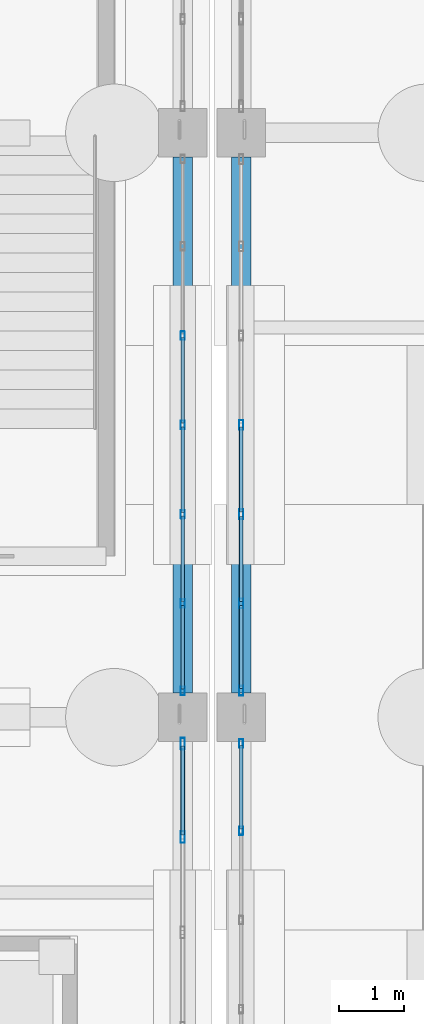
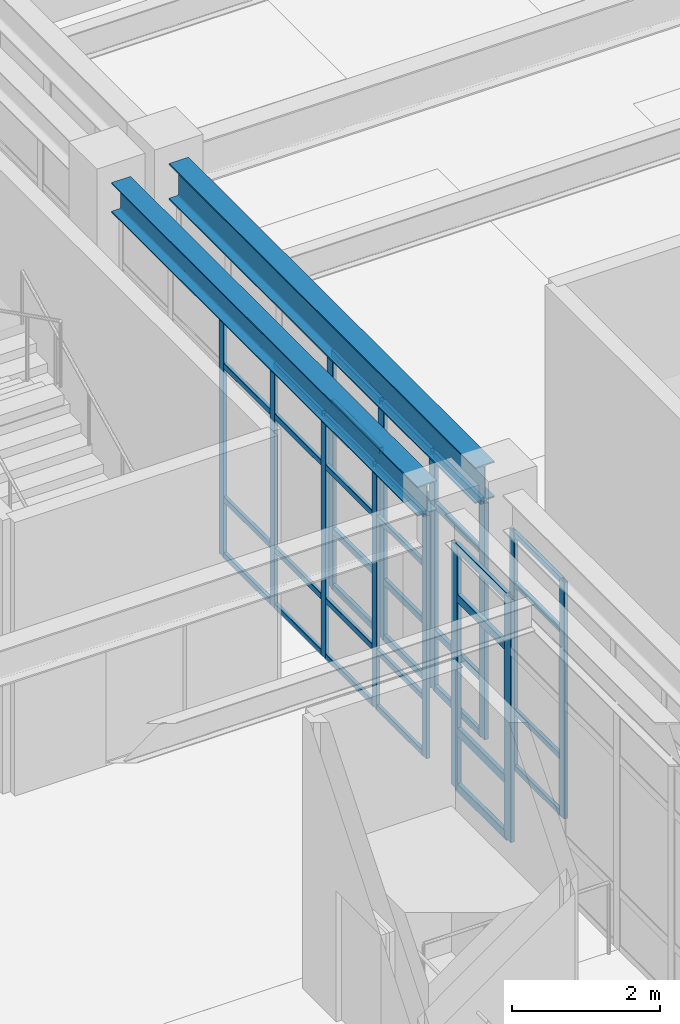
# One storey, part 69 of 139: 48 members, 2 beams, 4 elements without a shape of their own.
"""IFC4 building model written with IfcOpenShell, lengths in metres."""

from ifc_helpers import new_model, si_unit, direction, frame, origin, origin_2d, place, context, subcontext, project, spatial, hollow_rectangle, i_section, extrude, material, material_profile, profile_set, type_object, element, aggregate, save


model = new_model("IFC4")

# Units and contexts
model_context = context("Model", 3, precision=1e-05, world=origin(), true_north=direction((0.0, 1.0)))
body_context = subcontext(model_context, "Body", "Model", "MODEL_VIEW")
ifc_project = project(units=[si_unit("LENGTHUNIT", "METRE"), si_unit("AREAUNIT", "SQUARE_METRE"), si_unit("VOLUMEUNIT", "CUBIC_METRE"), si_unit("PLANEANGLEUNIT", "RADIAN"), si_unit("MASSUNIT", "GRAM", prefix="KILO")], contexts=[model_context])

# Site, building, storey
site_placement = place(None, origin())
site = spatial("IfcSite", under=ifc_project, at=site_placement, CompositionType="ELEMENT")
building_placement = place(site_placement, origin())
building = spatial("IfcBuilding", under=site, at=building_placement, Name="Canglan Escarpment Cableway Terminal", CompositionType="ELEMENT")
storey_placement = place(building_placement, frame((0.0, 0.0, 14.39990234375)))
storey = spatial("IfcBuildingStorey", under=building, at=storey_placement, Name="L03", CompositionType="ELEMENT", Elevation=14.39990234375)

# Beams
ifc_material_1 = material(Name="Steel Q355B", Category="steel")
ifc_material_profile_1 = material_profile(ifc_material_1, i_section(OverallWidth=0.300048828125, OverallDepth=0.488037109375, WebThickness=0.010986328125, FlangeThickness=0.01806640625, FilletRadius=0.02587890625, at=origin_2d()), Name="HM 488x300x11x18")
ifc_profile_set_1 = profile_set([ifc_material_profile_1], Name="Steel Q355B")
beam_type_1 = type_object("IfcBeamType", Name="BM-HM488", PredefinedType="BEAM", material=ifc_profile_set_1)
beam_1_placement = place(storey_placement, frame((136.699951171875, 97.375, 4.256103515625), z_axis=(0.0, 1.0, 0.0), x_axis=(-1.0, 0.0, 0.0)))
element("IfcBeam", 1, at=beam_1_placement, inside=storey, type_object=beam_type_1, Name="Primary transverse girder B-09", PredefinedType="BEAM", context=body_context, shape_type="SweptSolid", body=[
    extrude(i_section(OverallWidth=0.300048828125, OverallDepth=0.488037109375, WebThickness=0.010986328125, FlangeThickness=0.01806640625, FilletRadius=0.02587890625, at=origin_2d()), origin(), (0.0, 0.0, 1.0), 8.25),
])
ifc_material_2 = material(Name="Steel Q355C", Category="steel")
ifc_material_profile_2 = material_profile(ifc_material_2, i_section(OverallWidth=0.302001953125, OverallDepth=0.593994140625, WebThickness=0.013916015625, FlangeThickness=0.02294921875, FilletRadius=0.028076171875, at=origin_2d()), Name="HM 594x302x14x23")
ifc_profile_set_2 = profile_set([ifc_material_profile_2], Name="Steel Q355C")
beam_type_2 = type_object("IfcBeamType", Name="BM-HM594", PredefinedType="BEAM", material=ifc_profile_set_2)
beam_2_placement = place(storey_placement, frame((137.60009765625, 97.375, 4.203125), z_axis=(0.0, 1.0, 0.0), x_axis=(-1.0, 0.0, 0.0)))
element("IfcBeam", 2, at=beam_2_placement, inside=storey, type_object=beam_type_2, Name="Primary transverse girder B-07", PredefinedType="BEAM", context=body_context, shape_type="SweptSolid", body=[
    extrude(i_section(OverallWidth=0.302001953125, OverallDepth=0.593994140625, WebThickness=0.013916015625, FlangeThickness=0.02294921875, FilletRadius=0.028076171875, at=origin_2d()), origin(), (0.0, 0.0, 1.0), 8.25),
])

# Curtain wall, members
ifc_material_3 = material(Name="Anodized bronze aluminium and Low-E double glazing", Category="aluminium")
curtain_wall_type_1 = type_object("IfcCurtainWallType", Name="CW-BAY-8250x4000", PredefinedType="NOTDEFINED", material=ifc_material_3)
curtain_wall_1_placement = place(storey_placement, origin())
curtain_wall_1 = element("IfcCurtainWall", 3, at=curtain_wall_1_placement, inside=storey, type_object=curtain_wall_type_1, Name="Classical bay-between-piers glazed curtain wall CW-48", PredefinedType="NOTDEFINED")
ifc_material_4 = material(Name="Thermally broken anodized aluminium 6063-T6", Category="aluminium")
ifc_material_profile_3 = material_profile(ifc_material_4, hollow_rectangle(XDim=0.06005859375, YDim=0.1298828125, WallThickness=0.0029296875, InnerFilletRadius=0.0029296875, OuterFilletRadius=0.006103515625, at=origin_2d()), Name="ALU-MULL 60x130x3")
ifc_profile_set_3 = profile_set([ifc_material_profile_3], Name="Thermally broken anodized aluminium 6063-T6")
member_type_1 = type_object("IfcMemberType", Name="CWM-01", PredefinedType="MULLION", material=ifc_profile_set_3)
member_1_placement = place(storey_placement, frame((136.699951171875, 97.405029296875, 0.0), z_axis=(0.0, 0.0, 1.0), x_axis=(-1.0, 0.0, 0.0)))
member_1 = element("IfcMember", 4, at=member_1_placement, type_object=member_type_1, Name="CW-48 mullion 1", PredefinedType="MULLION", context=body_context, shape_type="SweptSolid", body=[
    extrude(hollow_rectangle(XDim=0.06005859375, YDim=0.1298828125, WallThickness=0.0029296875, InnerFilletRadius=0.0029296875, OuterFilletRadius=0.006103515625, at=origin_2d()), origin(), (0.0, 0.0, 1.0), 3.9970703125),
])
member_2_placement = place(storey_placement, frame((136.699951171875, 98.75, 0.0), z_axis=(0.0, 0.0, 1.0), x_axis=(-1.0, 0.0, 0.0)))
member_2 = element("IfcMember", 5, at=member_2_placement, type_object=member_type_1, Name="CW-48 mullion 2", PredefinedType="MULLION", context=body_context, shape_type="SweptSolid", body=[
    extrude(hollow_rectangle(XDim=0.06005859375, YDim=0.1298828125, WallThickness=0.0029296875, InnerFilletRadius=0.0029296875, OuterFilletRadius=0.006103515625, at=origin_2d()), origin(), (0.0, 0.0, 1.0), 3.9970703125),
])
member_3_placement = place(storey_placement, frame((136.699951171875, 100.125, 0.0), z_axis=(0.0, 0.0, 1.0), x_axis=(-1.0, 0.0, 0.0)))
member_3 = element("IfcMember", 6, at=member_3_placement, type_object=member_type_1, Name="CW-48 mullion 3", PredefinedType="MULLION", context=body_context, shape_type="SweptSolid", body=[
    extrude(hollow_rectangle(XDim=0.06005859375, YDim=0.1298828125, WallThickness=0.0029296875, InnerFilletRadius=0.0029296875, OuterFilletRadius=0.006103515625, at=origin_2d()), origin(), (0.0, 0.0, 1.0), 3.9970703125),
])
member_4_placement = place(storey_placement, frame((136.699951171875, 101.5, 0.0), z_axis=(0.0, 0.0, 1.0), x_axis=(-1.0, 0.0, 0.0)))
member_4 = element("IfcMember", 7, at=member_4_placement, type_object=member_type_1, Name="CW-48 mullion 4", PredefinedType="MULLION", context=body_context, shape_type="SweptSolid", body=[
    extrude(hollow_rectangle(XDim=0.06005859375, YDim=0.1298828125, WallThickness=0.0029296875, InnerFilletRadius=0.0029296875, OuterFilletRadius=0.006103515625, at=origin_2d()), origin(), (0.0, 0.0, 1.0), 3.9970703125),
])
member_5_placement = place(storey_placement, frame((136.699951171875, 102.875, 0.0), z_axis=(0.0, 0.0, 1.0), x_axis=(-1.0, 0.0, 0.0)))
member_5 = element("IfcMember", 8, at=member_5_placement, type_object=member_type_1, Name="CW-48 mullion 5", PredefinedType="MULLION", context=body_context, shape_type="SweptSolid", body=[
    extrude(hollow_rectangle(XDim=0.06005859375, YDim=0.1298828125, WallThickness=0.0029296875, InnerFilletRadius=0.0029296875, OuterFilletRadius=0.006103515625, at=origin_2d()), origin(), (0.0, 0.0, 1.0), 3.9970703125),
])

curtain_wall_type_2 = type_object("IfcCurtainWallType", Name="CW-BAY-8250x3900", PredefinedType="NOTDEFINED", material=ifc_material_3)
curtain_wall_2_placement = place(storey_placement, origin())
curtain_wall_2 = element("IfcCurtainWall", 9, at=curtain_wall_2_placement, inside=storey, type_object=curtain_wall_type_2, Name="Classical bay-between-piers glazed curtain wall CW-62", PredefinedType="NOTDEFINED")
member_6_placement = place(storey_placement, frame((137.60009765625, 96.594970703125, 0.0), z_axis=(0.0, 0.0, 1.0), x_axis=(1.0, 0.0, 0.0)))
member_6 = element("IfcMember", 10, at=member_6_placement, type_object=member_type_1, Name="CW-62 mullion 1", PredefinedType="MULLION", context=body_context, shape_type="SweptSolid", body=[
    extrude(hollow_rectangle(XDim=0.06005859375, YDim=0.1298828125, WallThickness=0.0029296875, InnerFilletRadius=0.0029296875, OuterFilletRadius=0.006103515625, at=origin_2d()), origin(), (0.0, 0.0, 1.0), 3.89111328125),
])
member_7_placement = place(storey_placement, frame((137.60009765625, 95.25, 0.0), z_axis=(0.0, 0.0, 1.0), x_axis=(1.0, 0.0, 0.0)))
member_7 = element("IfcMember", 11, at=member_7_placement, type_object=member_type_1, Name="CW-62 mullion 2", PredefinedType="MULLION", context=body_context, shape_type="SweptSolid", body=[
    extrude(hollow_rectangle(XDim=0.06005859375, YDim=0.1298828125, WallThickness=0.0029296875, InnerFilletRadius=0.0029296875, OuterFilletRadius=0.006103515625, at=origin_2d()), origin(), (0.0, 0.0, 1.0), 3.89111328125),
])

curtain_wall_3_placement = place(storey_placement, origin())
curtain_wall_3 = element("IfcCurtainWall", 12, at=curtain_wall_3_placement, inside=storey, type_object=curtain_wall_type_2, Name="Classical bay-between-piers glazed curtain wall CW-62", PredefinedType="NOTDEFINED")
ifc_material_profile_4 = material_profile(ifc_material_4, hollow_rectangle(XDim=0.06494140625, YDim=0.14990234375, WallThickness=0.00341796875, InnerFilletRadius=0.00341796875, OuterFilletRadius=0.007080078125, at=origin_2d()), Name="ALU-MULL 65x150x3.5")
ifc_profile_set_4 = profile_set([ifc_material_profile_4], Name="Thermally broken anodized aluminium 6063-T6")
member_type_2 = type_object("IfcMemberType", Name="CWM-02", PredefinedType="MULLION", material=ifc_profile_set_4)
member_8_placement = place(storey_placement, frame((137.60009765625, 101.5, 0.0), z_axis=(0.0, 0.0, 1.0), x_axis=(1.0, 0.0, 0.0)))
member_8 = element("IfcMember", 13, at=member_8_placement, type_object=member_type_2, Name="CW-62 mullion 4", PredefinedType="MULLION", context=body_context, shape_type="SweptSolid", body=[
    extrude(hollow_rectangle(XDim=0.06494140625, YDim=0.14990234375, WallThickness=0.00341796875, InnerFilletRadius=0.00341796875, OuterFilletRadius=0.007080078125, at=origin_2d()), origin(), (0.0, 0.0, 1.0), 3.89111328125),
])
member_9_placement = place(storey_placement, frame((137.60009765625, 100.125, 0.0), z_axis=(0.0, 0.0, 1.0), x_axis=(1.0, 0.0, 0.0)))
member_9 = element("IfcMember", 14, at=member_9_placement, type_object=member_type_2, Name="CW-62 mullion 5", PredefinedType="MULLION", context=body_context, shape_type="SweptSolid", body=[
    extrude(hollow_rectangle(XDim=0.06494140625, YDim=0.14990234375, WallThickness=0.00341796875, InnerFilletRadius=0.00341796875, OuterFilletRadius=0.007080078125, at=origin_2d()), origin(), (0.0, 0.0, 1.0), 3.89111328125),
])
member_10_placement = place(storey_placement, frame((137.60009765625, 98.75, 0.0), z_axis=(0.0, 0.0, 1.0), x_axis=(1.0, 0.0, 0.0)))
member_10 = element("IfcMember", 15, at=member_10_placement, type_object=member_type_2, Name="CW-62 mullion 6", PredefinedType="MULLION", context=body_context, shape_type="SweptSolid", body=[
    extrude(hollow_rectangle(XDim=0.06494140625, YDim=0.14990234375, WallThickness=0.00341796875, InnerFilletRadius=0.00341796875, OuterFilletRadius=0.007080078125, at=origin_2d()), origin(), (0.0, 0.0, 1.0), 3.89111328125),
])
member_11_placement = place(storey_placement, frame((137.60009765625, 97.407470703125, 0.0), z_axis=(0.0, 0.0, 1.0), x_axis=(1.0, 0.0, 0.0)))
member_11 = element("IfcMember", 16, at=member_11_placement, type_object=member_type_2, Name="CW-62 mullion 7", PredefinedType="MULLION", context=body_context, shape_type="SweptSolid", body=[
    extrude(hollow_rectangle(XDim=0.06494140625, YDim=0.14990234375, WallThickness=0.00341796875, InnerFilletRadius=0.00341796875, OuterFilletRadius=0.007080078125, at=origin_2d()), origin(), (0.0, 0.0, 1.0), 3.89111328125),
])

curtain_wall_type_3 = type_object("IfcCurtainWallType", Name="CW-BAY-7350x4000", PredefinedType="NOTDEFINED", material=ifc_material_3)
curtain_wall_4_placement = place(storey_placement, origin())
curtain_wall_4 = element("IfcCurtainWall", 17, at=curtain_wall_4_placement, inside=storey, type_object=curtain_wall_type_3, Name="Classical bay-between-piers glazed curtain wall CW-47", PredefinedType="NOTDEFINED")
ifc_material_profile_5 = material_profile(ifc_material_4, hollow_rectangle(XDim=0.06494140625, YDim=0.179931640625, WallThickness=0.00390625, InnerFilletRadius=0.00390625, OuterFilletRadius=0.008056640625, at=origin_2d()), Name="ALU-MULL 65x180x4")
ifc_profile_set_5 = profile_set([ifc_material_profile_5], Name="Thermally broken anodized aluminium 6063-T6")
member_type_3 = type_object("IfcMemberType", Name="CWM-03", PredefinedType="MULLION", material=ifc_profile_set_5)
member_12_placement = place(storey_placement, frame((136.699951171875, 95.155029296875, 0.0), z_axis=(0.0, 0.0, 1.0), x_axis=(-1.0, 0.0, 0.0)))
member_12 = element("IfcMember", 18, at=member_12_placement, type_object=member_type_3, Name="CW-47 mullion 5", PredefinedType="MULLION", context=body_context, shape_type="SweptSolid", body=[
    extrude(hollow_rectangle(XDim=0.06494140625, YDim=0.179931640625, WallThickness=0.00390625, InnerFilletRadius=0.00390625, OuterFilletRadius=0.008056640625, at=origin_2d()), origin(), (0.0, 0.0, 1.0), 3.9970703125),
])
member_13_placement = place(storey_placement, frame((136.699951171875, 96.592529296875, 0.0), z_axis=(0.0, 0.0, 1.0), x_axis=(-1.0, 0.0, 0.0)))
member_13 = element("IfcMember", 19, at=member_13_placement, type_object=member_type_3, Name="CW-47 mullion 6", PredefinedType="MULLION", context=body_context, shape_type="SweptSolid", body=[
    extrude(hollow_rectangle(XDim=0.06494140625, YDim=0.179931640625, WallThickness=0.00390625, InnerFilletRadius=0.00390625, OuterFilletRadius=0.008056640625, at=origin_2d()), origin(), (0.0, 0.0, 1.0), 3.9970703125),
])

# Member
ifc_material_profile_6 = material_profile(ifc_material_4, hollow_rectangle(XDim=0.054931640625, YDim=0.094970703125, WallThickness=0.0029296875, InnerFilletRadius=0.0029296875, OuterFilletRadius=0.006103515625, at=origin_2d()), Name="ALU-TRAN 55x95x3")
ifc_profile_set_6 = profile_set([ifc_material_profile_6], Name="Thermally broken anodized aluminium 6063-T6")
member_type_4 = type_object("IfcMemberType", Name="CWT-01", PredefinedType="USERDEFINED", material=ifc_profile_set_6)
member_14_placement = place(storey_placement, frame((136.699951171875, 97.43505859375, 0.027587890625), z_axis=(0.0, 1.0, 0.0), x_axis=(-1.0, 0.0, 0.0)))
member_14 = element("IfcMember", 20, at=member_14_placement, type_object=member_type_4, Name="CW-48 transom 1.1", ObjectType="TRANSOM", PredefinedType="USERDEFINED", context=body_context, shape_type="SweptSolid", body=[
    extrude(hollow_rectangle(XDim=0.054931640625, YDim=0.094970703125, WallThickness=0.0029296875, InnerFilletRadius=0.0029296875, OuterFilletRadius=0.006103515625, at=origin_2d()), origin(), (0.0, 0.0, 1.0), 1.284912109375),
])

member_15_placement = place(storey_placement, frame((136.699951171875, 97.43505859375, 0.9501953125), z_axis=(0.0, 1.0, 0.0), x_axis=(-1.0, 0.0, 0.0)))
member_15 = element("IfcMember", 21, at=member_15_placement, type_object=member_type_4, Name="CW-48 transom 1.2", ObjectType="TRANSOM", PredefinedType="USERDEFINED", context=body_context, shape_type="SweptSolid", body=[
    extrude(hollow_rectangle(XDim=0.054931640625, YDim=0.094970703125, WallThickness=0.0029296875, InnerFilletRadius=0.0029296875, OuterFilletRadius=0.006103515625, at=origin_2d()), origin(), (0.0, 0.0, 1.0), 1.284912109375),
])

member_16_placement = place(storey_placement, frame((136.699951171875, 97.43505859375, 3.147216796875), z_axis=(0.0, 1.0, 0.0), x_axis=(-1.0, 0.0, 0.0)))
member_16 = element("IfcMember", 22, at=member_16_placement, type_object=member_type_4, Name="CW-48 transom 1.3", ObjectType="TRANSOM", PredefinedType="USERDEFINED", context=body_context, shape_type="SweptSolid", body=[
    extrude(hollow_rectangle(XDim=0.054931640625, YDim=0.094970703125, WallThickness=0.0029296875, InnerFilletRadius=0.0029296875, OuterFilletRadius=0.006103515625, at=origin_2d()), origin(), (0.0, 0.0, 1.0), 1.284912109375),
])

member_17_placement = place(storey_placement, frame((136.699951171875, 97.43505859375, 3.969482421875), z_axis=(0.0, 1.0, 0.0), x_axis=(-1.0, 0.0, 0.0)))
member_17 = element("IfcMember", 23, at=member_17_placement, type_object=member_type_4, Name="CW-48 transom 1.4", ObjectType="TRANSOM", PredefinedType="USERDEFINED", context=body_context, shape_type="SweptSolid", body=[
    extrude(hollow_rectangle(XDim=0.054931640625, YDim=0.094970703125, WallThickness=0.0029296875, InnerFilletRadius=0.0029296875, OuterFilletRadius=0.006103515625, at=origin_2d()), origin(), (0.0, 0.0, 1.0), 1.284912109375),
])

member_18_placement = place(storey_placement, frame((136.699951171875, 98.780029296875, 0.027587890625), z_axis=(0.0, 1.0, 0.0), x_axis=(-1.0, 0.0, 0.0)))
member_18 = element("IfcMember", 24, at=member_18_placement, type_object=member_type_4, Name="CW-48 transom 2.1", ObjectType="TRANSOM", PredefinedType="USERDEFINED", context=body_context, shape_type="SweptSolid", body=[
    extrude(hollow_rectangle(XDim=0.054931640625, YDim=0.094970703125, WallThickness=0.0029296875, InnerFilletRadius=0.0029296875, OuterFilletRadius=0.006103515625, at=origin_2d()), origin(), (0.0, 0.0, 1.0), 1.31494140625),
])

member_19_placement = place(storey_placement, frame((136.699951171875, 98.780029296875, 0.9501953125), z_axis=(0.0, 1.0, 0.0), x_axis=(-1.0, 0.0, 0.0)))
member_19 = element("IfcMember", 25, at=member_19_placement, type_object=member_type_4, Name="CW-48 transom 2.2", ObjectType="TRANSOM", PredefinedType="USERDEFINED", context=body_context, shape_type="SweptSolid", body=[
    extrude(hollow_rectangle(XDim=0.054931640625, YDim=0.094970703125, WallThickness=0.0029296875, InnerFilletRadius=0.0029296875, OuterFilletRadius=0.006103515625, at=origin_2d()), origin(), (0.0, 0.0, 1.0), 1.31494140625),
])

member_20_placement = place(storey_placement, frame((136.699951171875, 98.780029296875, 3.147216796875), z_axis=(0.0, 1.0, 0.0), x_axis=(-1.0, 0.0, 0.0)))
member_20 = element("IfcMember", 26, at=member_20_placement, type_object=member_type_4, Name="CW-48 transom 2.3", ObjectType="TRANSOM", PredefinedType="USERDEFINED", context=body_context, shape_type="SweptSolid", body=[
    extrude(hollow_rectangle(XDim=0.054931640625, YDim=0.094970703125, WallThickness=0.0029296875, InnerFilletRadius=0.0029296875, OuterFilletRadius=0.006103515625, at=origin_2d()), origin(), (0.0, 0.0, 1.0), 1.31494140625),
])

member_21_placement = place(storey_placement, frame((136.699951171875, 98.780029296875, 3.969482421875), z_axis=(0.0, 1.0, 0.0), x_axis=(-1.0, 0.0, 0.0)))
member_21 = element("IfcMember", 27, at=member_21_placement, type_object=member_type_4, Name="CW-48 transom 2.4", ObjectType="TRANSOM", PredefinedType="USERDEFINED", context=body_context, shape_type="SweptSolid", body=[
    extrude(hollow_rectangle(XDim=0.054931640625, YDim=0.094970703125, WallThickness=0.0029296875, InnerFilletRadius=0.0029296875, OuterFilletRadius=0.006103515625, at=origin_2d()), origin(), (0.0, 0.0, 1.0), 1.31494140625),
])

member_22_placement = place(storey_placement, frame((136.699951171875, 100.155029296875, 0.027587890625), z_axis=(0.0, 1.0, 0.0), x_axis=(-1.0, 0.0, 0.0)))
member_22 = element("IfcMember", 28, at=member_22_placement, type_object=member_type_4, Name="CW-48 transom 3.1", ObjectType="TRANSOM", PredefinedType="USERDEFINED", context=body_context, shape_type="SweptSolid", body=[
    extrude(hollow_rectangle(XDim=0.054931640625, YDim=0.094970703125, WallThickness=0.0029296875, InnerFilletRadius=0.0029296875, OuterFilletRadius=0.006103515625, at=origin_2d()), origin(), (0.0, 0.0, 1.0), 1.31494140625),
])

member_23_placement = place(storey_placement, frame((136.699951171875, 100.155029296875, 0.9501953125), z_axis=(0.0, 1.0, 0.0), x_axis=(-1.0, 0.0, 0.0)))
member_23 = element("IfcMember", 29, at=member_23_placement, type_object=member_type_4, Name="CW-48 transom 3.2", ObjectType="TRANSOM", PredefinedType="USERDEFINED", context=body_context, shape_type="SweptSolid", body=[
    extrude(hollow_rectangle(XDim=0.054931640625, YDim=0.094970703125, WallThickness=0.0029296875, InnerFilletRadius=0.0029296875, OuterFilletRadius=0.006103515625, at=origin_2d()), origin(), (0.0, 0.0, 1.0), 1.31494140625),
])

member_24_placement = place(storey_placement, frame((136.699951171875, 100.155029296875, 3.147216796875), z_axis=(0.0, 1.0, 0.0), x_axis=(-1.0, 0.0, 0.0)))
member_24 = element("IfcMember", 30, at=member_24_placement, type_object=member_type_4, Name="CW-48 transom 3.3", ObjectType="TRANSOM", PredefinedType="USERDEFINED", context=body_context, shape_type="SweptSolid", body=[
    extrude(hollow_rectangle(XDim=0.054931640625, YDim=0.094970703125, WallThickness=0.0029296875, InnerFilletRadius=0.0029296875, OuterFilletRadius=0.006103515625, at=origin_2d()), origin(), (0.0, 0.0, 1.0), 1.31494140625),
])

member_25_placement = place(storey_placement, frame((136.699951171875, 100.155029296875, 3.969482421875), z_axis=(0.0, 1.0, 0.0), x_axis=(-1.0, 0.0, 0.0)))
member_25 = element("IfcMember", 31, at=member_25_placement, type_object=member_type_4, Name="CW-48 transom 3.4", ObjectType="TRANSOM", PredefinedType="USERDEFINED", context=body_context, shape_type="SweptSolid", body=[
    extrude(hollow_rectangle(XDim=0.054931640625, YDim=0.094970703125, WallThickness=0.0029296875, InnerFilletRadius=0.0029296875, OuterFilletRadius=0.006103515625, at=origin_2d()), origin(), (0.0, 0.0, 1.0), 1.31494140625),
])

member_26_placement = place(storey_placement, frame((136.699951171875, 101.530029296875, 0.027587890625), z_axis=(0.0, 1.0, 0.0), x_axis=(-1.0, 0.0, 0.0)))
member_26 = element("IfcMember", 32, at=member_26_placement, type_object=member_type_4, Name="CW-48 transom 4.1", ObjectType="TRANSOM", PredefinedType="USERDEFINED", context=body_context, shape_type="SweptSolid", body=[
    extrude(hollow_rectangle(XDim=0.054931640625, YDim=0.094970703125, WallThickness=0.0029296875, InnerFilletRadius=0.0029296875, OuterFilletRadius=0.006103515625, at=origin_2d()), origin(), (0.0, 0.0, 1.0), 1.31494140625),
])

member_27_placement = place(storey_placement, frame((136.699951171875, 101.530029296875, 0.9501953125), z_axis=(0.0, 1.0, 0.0), x_axis=(-1.0, 0.0, 0.0)))
member_27 = element("IfcMember", 33, at=member_27_placement, type_object=member_type_4, Name="CW-48 transom 4.2", ObjectType="TRANSOM", PredefinedType="USERDEFINED", context=body_context, shape_type="SweptSolid", body=[
    extrude(hollow_rectangle(XDim=0.054931640625, YDim=0.094970703125, WallThickness=0.0029296875, InnerFilletRadius=0.0029296875, OuterFilletRadius=0.006103515625, at=origin_2d()), origin(), (0.0, 0.0, 1.0), 1.31494140625),
])

member_28_placement = place(storey_placement, frame((136.699951171875, 101.530029296875, 3.147216796875), z_axis=(0.0, 1.0, 0.0), x_axis=(-1.0, 0.0, 0.0)))
member_28 = element("IfcMember", 34, at=member_28_placement, type_object=member_type_4, Name="CW-48 transom 4.3", ObjectType="TRANSOM", PredefinedType="USERDEFINED", context=body_context, shape_type="SweptSolid", body=[
    extrude(hollow_rectangle(XDim=0.054931640625, YDim=0.094970703125, WallThickness=0.0029296875, InnerFilletRadius=0.0029296875, OuterFilletRadius=0.006103515625, at=origin_2d()), origin(), (0.0, 0.0, 1.0), 1.31494140625),
])

aggregate(curtain_wall_1, [member_1, member_2, member_3, member_4, member_5, member_14, member_15, member_16, member_17, member_18, member_19, member_20, member_21, member_22, member_23, member_24, member_25, member_26, member_27, member_28])

member_29_placement = place(storey_placement, frame((137.60009765625, 96.56494140625, 0.027587890625), z_axis=(0.0, -1.0, 0.0), x_axis=(1.0, 0.0, 0.0)))
member_29 = element("IfcMember", 35, at=member_29_placement, type_object=member_type_4, Name="CW-62 transom 1.1", ObjectType="TRANSOM", PredefinedType="USERDEFINED", context=body_context, shape_type="SweptSolid", body=[
    extrude(hollow_rectangle(XDim=0.054931640625, YDim=0.094970703125, WallThickness=0.0029296875, InnerFilletRadius=0.0029296875, OuterFilletRadius=0.006103515625, at=origin_2d()), origin(), (0.0, 0.0, 1.0), 1.284912109375),
])

member_30_placement = place(storey_placement, frame((137.60009765625, 96.56494140625, 0.9501953125), z_axis=(0.0, -1.0, 0.0), x_axis=(1.0, 0.0, 0.0)))
member_30 = element("IfcMember", 36, at=member_30_placement, type_object=member_type_4, Name="CW-62 transom 1.2", ObjectType="TRANSOM", PredefinedType="USERDEFINED", context=body_context, shape_type="SweptSolid", body=[
    extrude(hollow_rectangle(XDim=0.054931640625, YDim=0.094970703125, WallThickness=0.0029296875, InnerFilletRadius=0.0029296875, OuterFilletRadius=0.006103515625, at=origin_2d()), origin(), (0.0, 0.0, 1.0), 1.284912109375),
])

member_31_placement = place(storey_placement, frame((137.60009765625, 96.56494140625, 3.041015625), z_axis=(0.0, -1.0, 0.0), x_axis=(1.0, 0.0, 0.0)))
member_31 = element("IfcMember", 37, at=member_31_placement, type_object=member_type_4, Name="CW-62 transom 1.3", ObjectType="TRANSOM", PredefinedType="USERDEFINED", context=body_context, shape_type="SweptSolid", body=[
    extrude(hollow_rectangle(XDim=0.054931640625, YDim=0.094970703125, WallThickness=0.0029296875, InnerFilletRadius=0.0029296875, OuterFilletRadius=0.006103515625, at=origin_2d()), origin(), (0.0, 0.0, 1.0), 1.284912109375),
])

member_32_placement = place(storey_placement, frame((137.60009765625, 96.56494140625, 3.863525390625), z_axis=(0.0, -1.0, 0.0), x_axis=(1.0, 0.0, 0.0)))
member_32 = element("IfcMember", 38, at=member_32_placement, type_object=member_type_4, Name="CW-62 transom 1.4", ObjectType="TRANSOM", PredefinedType="USERDEFINED", context=body_context, shape_type="SweptSolid", body=[
    extrude(hollow_rectangle(XDim=0.054931640625, YDim=0.094970703125, WallThickness=0.0029296875, InnerFilletRadius=0.0029296875, OuterFilletRadius=0.006103515625, at=origin_2d()), origin(), (0.0, 0.0, 1.0), 1.284912109375),
])

aggregate(curtain_wall_2, [member_6, member_7, member_29, member_30, member_31, member_32])

ifc_material_profile_7 = material_profile(ifc_material_4, hollow_rectangle(XDim=0.06005859375, YDim=0.110107421875, WallThickness=0.0029296875, InnerFilletRadius=0.0029296875, OuterFilletRadius=0.006103515625, at=origin_2d()), Name="ALU-TRAN 60x110x3")
ifc_profile_set_7 = profile_set([ifc_material_profile_7], Name="Thermally broken anodized aluminium 6063-T6")
member_type_5 = type_object("IfcMemberType", Name="CWT-02", PredefinedType="USERDEFINED", material=ifc_profile_set_7)
member_33_placement = place(storey_placement, frame((137.60009765625, 101.467529296875, 0.030029296875), z_axis=(0.0, -1.0, 0.0), x_axis=(1.0, 0.0, 0.0)))
member_33 = element("IfcMember", 39, at=member_33_placement, type_object=member_type_5, Name="CW-62 transom 4.1", ObjectType="TRANSOM", PredefinedType="USERDEFINED", context=body_context, shape_type="SweptSolid", body=[
    extrude(hollow_rectangle(XDim=0.06005859375, YDim=0.110107421875, WallThickness=0.0029296875, InnerFilletRadius=0.0029296875, OuterFilletRadius=0.006103515625, at=origin_2d()), origin(), (0.0, 0.0, 1.0), 1.31005859375),
])

member_34_placement = place(storey_placement, frame((137.60009765625, 101.467529296875, 0.9501953125), z_axis=(0.0, -1.0, 0.0), x_axis=(1.0, 0.0, 0.0)))
member_34 = element("IfcMember", 40, at=member_34_placement, type_object=member_type_5, Name="CW-62 transom 4.2", ObjectType="TRANSOM", PredefinedType="USERDEFINED", context=body_context, shape_type="SweptSolid", body=[
    extrude(hollow_rectangle(XDim=0.06005859375, YDim=0.110107421875, WallThickness=0.0029296875, InnerFilletRadius=0.0029296875, OuterFilletRadius=0.006103515625, at=origin_2d()), origin(), (0.0, 0.0, 1.0), 1.31005859375),
])

member_35_placement = place(storey_placement, frame((137.60009765625, 101.467529296875, 3.041015625), z_axis=(0.0, -1.0, 0.0), x_axis=(1.0, 0.0, 0.0)))
member_35 = element("IfcMember", 41, at=member_35_placement, type_object=member_type_5, Name="CW-62 transom 4.3", ObjectType="TRANSOM", PredefinedType="USERDEFINED", context=body_context, shape_type="SweptSolid", body=[
    extrude(hollow_rectangle(XDim=0.06005859375, YDim=0.110107421875, WallThickness=0.0029296875, InnerFilletRadius=0.0029296875, OuterFilletRadius=0.006103515625, at=origin_2d()), origin(), (0.0, 0.0, 1.0), 1.31005859375),
])

member_36_placement = place(storey_placement, frame((137.60009765625, 101.467529296875, 3.861083984375), z_axis=(0.0, -1.0, 0.0), x_axis=(1.0, 0.0, 0.0)))
member_36 = element("IfcMember", 42, at=member_36_placement, type_object=member_type_5, Name="CW-62 transom 4.4", ObjectType="TRANSOM", PredefinedType="USERDEFINED", context=body_context, shape_type="SweptSolid", body=[
    extrude(hollow_rectangle(XDim=0.06005859375, YDim=0.110107421875, WallThickness=0.0029296875, InnerFilletRadius=0.0029296875, OuterFilletRadius=0.006103515625, at=origin_2d()), origin(), (0.0, 0.0, 1.0), 1.31005859375),
])

member_37_placement = place(storey_placement, frame((137.60009765625, 100.092529296875, 0.030029296875), z_axis=(0.0, -1.0, 0.0), x_axis=(1.0, 0.0, 0.0)))
member_37 = element("IfcMember", 43, at=member_37_placement, type_object=member_type_5, Name="CW-62 transom 5.1", ObjectType="TRANSOM", PredefinedType="USERDEFINED", context=body_context, shape_type="SweptSolid", body=[
    extrude(hollow_rectangle(XDim=0.06005859375, YDim=0.110107421875, WallThickness=0.0029296875, InnerFilletRadius=0.0029296875, OuterFilletRadius=0.006103515625, at=origin_2d()), origin(), (0.0, 0.0, 1.0), 1.31005859375),
])

member_38_placement = place(storey_placement, frame((137.60009765625, 100.092529296875, 0.9501953125), z_axis=(0.0, -1.0, 0.0), x_axis=(1.0, 0.0, 0.0)))
member_38 = element("IfcMember", 44, at=member_38_placement, type_object=member_type_5, Name="CW-62 transom 5.2", ObjectType="TRANSOM", PredefinedType="USERDEFINED", context=body_context, shape_type="SweptSolid", body=[
    extrude(hollow_rectangle(XDim=0.06005859375, YDim=0.110107421875, WallThickness=0.0029296875, InnerFilletRadius=0.0029296875, OuterFilletRadius=0.006103515625, at=origin_2d()), origin(), (0.0, 0.0, 1.0), 1.31005859375),
])

member_39_placement = place(storey_placement, frame((137.60009765625, 100.092529296875, 3.041015625), z_axis=(0.0, -1.0, 0.0), x_axis=(1.0, 0.0, 0.0)))
member_39 = element("IfcMember", 45, at=member_39_placement, type_object=member_type_5, Name="CW-62 transom 5.3", ObjectType="TRANSOM", PredefinedType="USERDEFINED", context=body_context, shape_type="SweptSolid", body=[
    extrude(hollow_rectangle(XDim=0.06005859375, YDim=0.110107421875, WallThickness=0.0029296875, InnerFilletRadius=0.0029296875, OuterFilletRadius=0.006103515625, at=origin_2d()), origin(), (0.0, 0.0, 1.0), 1.31005859375),
])

member_40_placement = place(storey_placement, frame((137.60009765625, 100.092529296875, 3.861083984375), z_axis=(0.0, -1.0, 0.0), x_axis=(1.0, 0.0, 0.0)))
member_40 = element("IfcMember", 46, at=member_40_placement, type_object=member_type_5, Name="CW-62 transom 5.4", ObjectType="TRANSOM", PredefinedType="USERDEFINED", context=body_context, shape_type="SweptSolid", body=[
    extrude(hollow_rectangle(XDim=0.06005859375, YDim=0.110107421875, WallThickness=0.0029296875, InnerFilletRadius=0.0029296875, OuterFilletRadius=0.006103515625, at=origin_2d()), origin(), (0.0, 0.0, 1.0), 1.31005859375),
])

member_41_placement = place(storey_placement, frame((137.60009765625, 98.717529296875, 0.030029296875), z_axis=(0.0, -1.0, 0.0), x_axis=(1.0, 0.0, 0.0)))
member_41 = element("IfcMember", 47, at=member_41_placement, type_object=member_type_5, Name="CW-62 transom 6.1", ObjectType="TRANSOM", PredefinedType="USERDEFINED", context=body_context, shape_type="SweptSolid", body=[
    extrude(hollow_rectangle(XDim=0.06005859375, YDim=0.110107421875, WallThickness=0.0029296875, InnerFilletRadius=0.0029296875, OuterFilletRadius=0.006103515625, at=origin_2d()), origin(), (0.0, 0.0, 1.0), 1.277587890625),
])

member_42_placement = place(storey_placement, frame((137.60009765625, 98.717529296875, 0.9501953125), z_axis=(0.0, -1.0, 0.0), x_axis=(1.0, 0.0, 0.0)))
member_42 = element("IfcMember", 48, at=member_42_placement, type_object=member_type_5, Name="CW-62 transom 6.2", ObjectType="TRANSOM", PredefinedType="USERDEFINED", context=body_context, shape_type="SweptSolid", body=[
    extrude(hollow_rectangle(XDim=0.06005859375, YDim=0.110107421875, WallThickness=0.0029296875, InnerFilletRadius=0.0029296875, OuterFilletRadius=0.006103515625, at=origin_2d()), origin(), (0.0, 0.0, 1.0), 1.277587890625),
])

member_43_placement = place(storey_placement, frame((137.60009765625, 98.717529296875, 3.041015625), z_axis=(0.0, -1.0, 0.0), x_axis=(1.0, 0.0, 0.0)))
member_43 = element("IfcMember", 49, at=member_43_placement, type_object=member_type_5, Name="CW-62 transom 6.3", ObjectType="TRANSOM", PredefinedType="USERDEFINED", context=body_context, shape_type="SweptSolid", body=[
    extrude(hollow_rectangle(XDim=0.06005859375, YDim=0.110107421875, WallThickness=0.0029296875, InnerFilletRadius=0.0029296875, OuterFilletRadius=0.006103515625, at=origin_2d()), origin(), (0.0, 0.0, 1.0), 1.277587890625),
])

member_44_placement = place(storey_placement, frame((137.60009765625, 98.717529296875, 3.861083984375), z_axis=(0.0, -1.0, 0.0), x_axis=(1.0, 0.0, 0.0)))
member_44 = element("IfcMember", 50, at=member_44_placement, type_object=member_type_5, Name="CW-62 transom 6.4", ObjectType="TRANSOM", PredefinedType="USERDEFINED", context=body_context, shape_type="SweptSolid", body=[
    extrude(hollow_rectangle(XDim=0.06005859375, YDim=0.110107421875, WallThickness=0.0029296875, InnerFilletRadius=0.0029296875, OuterFilletRadius=0.006103515625, at=origin_2d()), origin(), (0.0, 0.0, 1.0), 1.277587890625),
])

aggregate(curtain_wall_3, [member_8, member_9, member_10, member_11, member_33, member_34, member_35, member_36, member_37, member_38, member_39, member_40, member_41, member_42, member_43, member_44])

ifc_material_profile_8 = material_profile(ifc_material_4, hollow_rectangle(XDim=0.06494140625, YDim=0.139892578125, WallThickness=0.00341796875, InnerFilletRadius=0.00341796875, OuterFilletRadius=0.007080078125, at=origin_2d()), Name="ALU-TRAN 65x140x3.5")
ifc_profile_set_8 = profile_set([ifc_material_profile_8], Name="Thermally broken anodized aluminium 6063-T6")
member_type_6 = type_object("IfcMemberType", Name="CWT-03", PredefinedType="USERDEFINED", material=ifc_profile_set_8)
member_45_placement = place(storey_placement, frame((136.699951171875, 95.1875, 0.03271484375), z_axis=(0.0, 1.0, 0.0), x_axis=(-1.0, 0.0, 0.0)))
member_45 = element("IfcMember", 51, at=member_45_placement, type_object=member_type_6, Name="CW-47 transom 5.1", ObjectType="TRANSOM", PredefinedType="USERDEFINED", context=body_context, shape_type="SweptSolid", body=[
    extrude(hollow_rectangle(XDim=0.06494140625, YDim=0.139892578125, WallThickness=0.00341796875, InnerFilletRadius=0.00341796875, OuterFilletRadius=0.007080078125, at=origin_2d()), origin(), (0.0, 0.0, 1.0), 1.37255859375),
])

member_46_placement = place(storey_placement, frame((136.699951171875, 95.1875, 0.9501953125), z_axis=(0.0, 1.0, 0.0), x_axis=(-1.0, 0.0, 0.0)))
member_46 = element("IfcMember", 52, at=member_46_placement, type_object=member_type_6, Name="CW-47 transom 5.2", ObjectType="TRANSOM", PredefinedType="USERDEFINED", context=body_context, shape_type="SweptSolid", body=[
    extrude(hollow_rectangle(XDim=0.06494140625, YDim=0.139892578125, WallThickness=0.00341796875, InnerFilletRadius=0.00341796875, OuterFilletRadius=0.007080078125, at=origin_2d()), origin(), (0.0, 0.0, 1.0), 1.37255859375),
])

member_47_placement = place(storey_placement, frame((136.699951171875, 95.1875, 3.147216796875), z_axis=(0.0, 1.0, 0.0), x_axis=(-1.0, 0.0, 0.0)))
member_47 = element("IfcMember", 53, at=member_47_placement, type_object=member_type_6, Name="CW-47 transom 5.3", ObjectType="TRANSOM", PredefinedType="USERDEFINED", context=body_context, shape_type="SweptSolid", body=[
    extrude(hollow_rectangle(XDim=0.06494140625, YDim=0.139892578125, WallThickness=0.00341796875, InnerFilletRadius=0.00341796875, OuterFilletRadius=0.007080078125, at=origin_2d()), origin(), (0.0, 0.0, 1.0), 1.37255859375),
])

member_48_placement = place(storey_placement, frame((136.699951171875, 95.1875, 3.964599609375), z_axis=(0.0, 1.0, 0.0), x_axis=(-1.0, 0.0, 0.0)))
member_48 = element("IfcMember", 54, at=member_48_placement, type_object=member_type_6, Name="CW-47 transom 5.4", ObjectType="TRANSOM", PredefinedType="USERDEFINED", context=body_context, shape_type="SweptSolid", body=[
    extrude(hollow_rectangle(XDim=0.06494140625, YDim=0.139892578125, WallThickness=0.00341796875, InnerFilletRadius=0.00341796875, OuterFilletRadius=0.007080078125, at=origin_2d()), origin(), (0.0, 0.0, 1.0), 1.37255859375),
])

aggregate(curtain_wall_4, [member_12, member_13, member_45, member_46, member_47, member_48])

save(model, "model.ifc")
